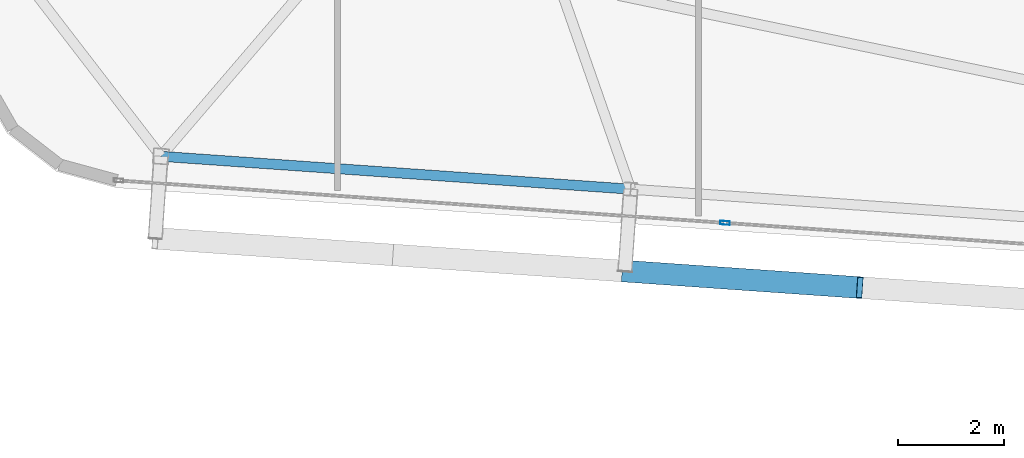
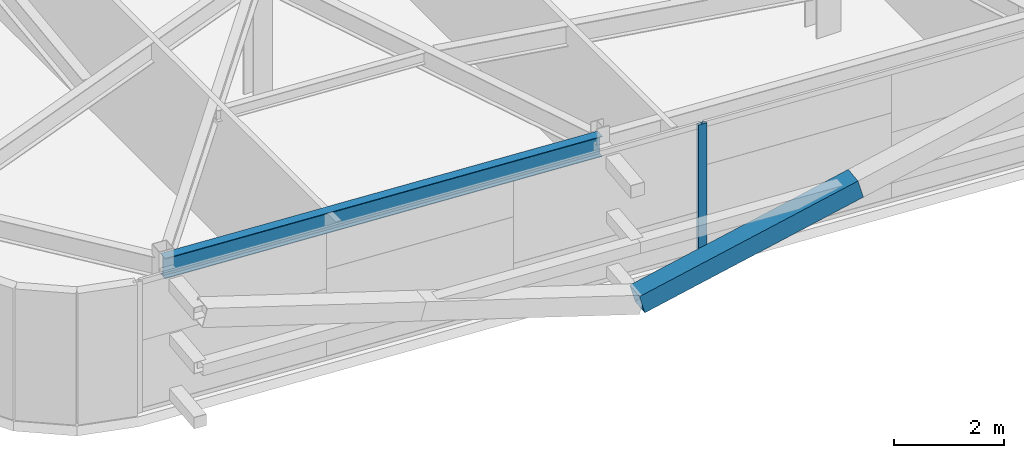
# One storey, part 7 of 39: 2 members, 1 beam, 1 element without a shape of its own.
"""IFC4 building model written with IfcOpenShell, lengths in metres."""

import ifcopenshell
import ifcopenshell.guid

model = None  # the IFC model being written
_history = None  # IfcOwnerHistory: only IFC2X3 demands one
_inside = {}  # id of a spatial element -> (the spatial element, [elements in it])
_under = {}  # id of a project, library or spatial element -> (it, [spatial elements below it])
_declared = {}  # id of a project -> (the project, [libraries it declares])
_typed = {}  # id of a type object -> (the type object, [elements of that type])
_made_of = {}  # id of a material, layer set ... -> (it, [elements and type objects made of it])


def new_model(schema):
    """Start an empty IFC model of exactly this schema.

    Asked for "IFC4X3", IfcOpenShell would pick the latest addendum, in which some entities
    have other attributes; the version numbers below select the first issue.
    IFC2X3 requires an IfcOwnerHistory on every rooted entity: one is made here for all.
    """
    global model, _history
    if schema == "IFC4X3":
        model = ifcopenshell.file(schema_version=(4, 3, 0, 0))
    else:
        model = ifcopenshell.file(schema=schema)
    _inside.clear()
    _under.clear()
    _declared.clear()
    _typed.clear()
    _made_of.clear()
    _history = None
    if model.schema == "IFC2X3":
        org = make("IfcOrganization", Name="unknown")
        user = make(
            "IfcPersonAndOrganization",
            ThePerson=make("IfcPerson", FamilyName="unknown"),
            TheOrganization=org,
        )
        app = make(
            "IfcApplication",
            ApplicationDeveloper=org,
            Version="unknown",
            ApplicationFullName="unknown",
            ApplicationIdentifier="unknown",
        )
        _history = make(
            "IfcOwnerHistory",
            OwningUser=user,
            OwningApplication=app,
            ChangeAction="ADDED",
            CreationDate=0,
        )
    return model


def make(cls, **values):
    """One entity of the class cls with the attributes given. An attribute that is None is left unset."""
    return model.create_entity(
        cls, **{name: value for name, value in values.items() if value is not None}
    )


def rooted(cls, **values):
    """An entity with a GlobalId (a new one), such as an element, a storey or a relation."""
    return make(cls, GlobalId=ifcopenshell.guid.new(), OwnerHistory=_history, **values)


def si_unit(unit_type, name, prefix=None):
    """IfcSIUnit, for example si_unit("LENGTHUNIT", "METRE", prefix="MILLI")."""
    return make("IfcSIUnit", UnitType=unit_type, Prefix=prefix, Name=name)


def assignment(units):
    """IfcUnitAssignment: the units of a project."""
    return None if units is None else make("IfcUnitAssignment", Units=units)


def point(xyz):
    """IfcCartesianPoint."""
    return None if xyz is None else make("IfcCartesianPoint", Coordinates=xyz)


def direction(xyz):
    """IfcDirection."""
    return None if xyz is None else make("IfcDirection", DirectionRatios=xyz)


def frame(location, z_axis=None, x_axis=None):
    """IfcAxis2Placement3D, a coordinate frame: its origin and axes. An axis left out is left unset."""
    return make(
        "IfcAxis2Placement3D",
        Location=point(location),
        Axis=direction(z_axis),
        RefDirection=direction(x_axis),
    )


def frame_2d(location, x_axis=None):
    """IfcAxis2Placement2D, a coordinate frame in the plane: its origin and x axis."""
    return make(
        "IfcAxis2Placement2D", Location=point(location), RefDirection=direction(x_axis)
    )


def origin():
    """The frame at (0, 0, 0) with its axes left unset."""
    return frame((0.0, 0.0, 0.0))


def origin_2d():
    """The frame at (0, 0) in the plane with its x axis left unset."""
    return frame_2d((0.0, 0.0))


def place(relative_to, where):
    """IfcLocalPlacement: puts the frame where relative to a parent placement (None: the world)."""
    return make(
        "IfcLocalPlacement", PlacementRelTo=relative_to, RelativePlacement=where
    )


def context(
    kind, dimensions, precision=None, world=None, true_north=None, identifier=None
):
    """IfcGeometricRepresentationContext, for example the 3D "Model" context."""
    return make(
        "IfcGeometricRepresentationContext",
        ContextIdentifier=identifier,
        ContextType=kind,
        CoordinateSpaceDimension=dimensions,
        Precision=precision,
        WorldCoordinateSystem=world,
        TrueNorth=true_north,
    )


def subcontext(parent, identifier, kind, view, scale=None):
    """IfcGeometricRepresentationSubContext, for example "Body" below "Model"."""
    return make(
        "IfcGeometricRepresentationSubContext",
        ContextIdentifier=identifier,
        ContextType=kind,
        ParentContext=parent,
        TargetScale=scale,
        TargetView=view,
    )


def project(units=None, contexts=None):
    """IfcProject with its units and contexts."""
    return rooted(
        "IfcProject",
        Name="project",
        RepresentationContexts=contexts,
        UnitsInContext=assignment(units),
    )


def spatial(cls, under=None, at=None, **own):
    """A site, building, storey or space (cls), placed at a placement, below another one or the project."""
    s = rooted(cls, ObjectPlacement=at, **own)
    if under is not None:
        _under.setdefault(under.id(), (under, []))[1].append(s)
    return s


def profile(cls, at=None, kind="AREA", **sizes):
    """A parametric profile (cls). Its sizes go by their IFC names, for example OverallWidth=200.0."""
    return make(cls, ProfileType=kind, Position=at, **sizes)


def hollow_rectangle(**sizes):
    """IfcRectangleHollowProfileDef."""
    return profile("IfcRectangleHollowProfileDef", **sizes)


def i_section(**sizes):
    """IfcIShapeProfileDef."""
    return profile("IfcIShapeProfileDef", **sizes)


def extrude(swept, where, along, depth):
    """IfcExtrudedAreaSolid: the profile swept, set in the frame where, extruded along a direction by depth."""
    return make(
        "IfcExtrudedAreaSolid",
        SweptArea=swept,
        Position=where,
        ExtrudedDirection=direction(along),
        Depth=depth,
    )


def shape(context_of_items, identifier, shape_type, items):
    """IfcShapeRepresentation: the items that make up one representation, for example the "Body"."""
    return make(
        "IfcShapeRepresentation",
        ContextOfItems=context_of_items,
        RepresentationIdentifier=identifier,
        RepresentationType=shape_type,
        Items=items,
    )


def source(mapping_origin, context_of_items, identifier, shape_type, items):
    """IfcRepresentationMap: a shape defined once, which mapped items show again and again."""
    return make(
        "IfcRepresentationMap",
        MappingOrigin=mapping_origin,
        MappedRepresentation=shape(context_of_items, identifier, shape_type, items),
    )


def transform(
    local_origin,
    x_axis=None,
    y_axis=None,
    z_axis=None,
    scale=None,
    scale2=None,
    scale3=None,
    uniform=True,
):
    """IfcCartesianTransformationOperator3D, or its non-uniform kind. x_axis, y_axis, z_axis: its Axis1, 2, 3."""
    if uniform:
        return make(
            "IfcCartesianTransformationOperator3D",
            Axis1=direction(x_axis),
            Axis2=direction(y_axis),
            LocalOrigin=point(local_origin),
            Scale=scale,
            Axis3=direction(z_axis),
        )
    return make(
        "IfcCartesianTransformationOperator3DnonUniform",
        Axis1=direction(x_axis),
        Axis2=direction(y_axis),
        LocalOrigin=point(local_origin),
        Scale=scale,
        Axis3=direction(z_axis),
        Scale2=scale2,
        Scale3=scale3,
    )


def mapped(mapping_source, mapping_target):
    """IfcMappedItem: shows the shape of a source again, moved by a transform."""
    return make(
        "IfcMappedItem", MappingSource=mapping_source, MappingTarget=mapping_target
    )


def material(Name=None, Category=None):
    """IfcMaterial."""
    return make("IfcMaterial", Name=Name, Category=Category)


def layer(
    of_material, thickness, ventilated=None, Name=None, Category=None, Priority=None
):
    """IfcMaterialLayer: one layer of a wall or slab, of a material (None: an air gap)."""
    return make(
        "IfcMaterialLayer",
        Material=of_material,
        LayerThickness=thickness,
        IsVentilated=ventilated,
        Name=Name,
        Category=Category,
        Priority=Priority,
    )


def layer_set(layers, Name=None):
    """IfcMaterialLayerSet."""
    return make("IfcMaterialLayerSet", MaterialLayers=layers, LayerSetName=Name)


def material_profile(
    of_material, cross_section, Name=None, Category=None, Priority=None
):
    """IfcMaterialProfile: a cross section and its material."""
    return make(
        "IfcMaterialProfile",
        Name=Name,
        Material=of_material,
        Profile=cross_section,
        Priority=Priority,
        Category=Category,
    )


def profile_set(profiles, Name=None, composite=None):
    """IfcMaterialProfileSet."""
    return make(
        "IfcMaterialProfileSet",
        Name=Name,
        MaterialProfiles=profiles,
        CompositeProfile=composite,
    )


def made_of(thing, what):
    """Note that an element or type object is made of a material, layer set ...; save() writes the relation."""
    if what is not None:
        _made_of.setdefault(what.id(), (what, []))[1].append(thing)
    return thing


def type_object(cls, material=None, **own):
    """A type object (cls), such as IfcWallType, which elements share."""
    return made_of(rooted(cls, **own), material)


def element(
    cls,
    number,
    at=None,
    inside=None,
    cuts=None,
    type_object=None,
    material=None,
    context=None,
    identifier="Body",
    shape_type=None,
    held_by="IfcProductDefinitionShape",
    body=None,
    shapes=None,
    **own,
):
    """One element of the class cls, such as IfcWall. Its Tag is "e" and its number.

    at: its placement. inside: the storey or other place that contains it. cuts: it is an
    opening in that element (IfcRelVoidsElement). A single representation is given by context,
    identifier, shape_type and body (its items); several are given by shapes. held_by: the class
    of the entity that holds the representations. save() writes the other relations.
    """
    e = rooted(cls, Tag="e%d" % number, ObjectPlacement=at, **own)
    if body is not None:
        shapes = [shape(context, identifier, shape_type, body)]
    if shapes is not None:
        e.Representation = make(held_by, Representations=shapes)
    if inside is not None:
        _inside.setdefault(inside.id(), (inside, []))[1].append(e)
    if cuts is not None:
        rooted(
            "IfcRelVoidsElement", RelatingBuildingElement=cuts, RelatedOpeningElement=e
        )
    if type_object is not None:
        _typed.setdefault(type_object.id(), (type_object, []))[1].append(e)
    return made_of(e, material)


def aggregate(whole, parts):
    """IfcRelAggregates: a whole, such as a stair, and the parts it consists of."""
    return rooted("IfcRelAggregates", RelatingObject=whole, RelatedObjects=parts)


def save(model, path):
    """Write the relations noted so far, then the file.

    IfcRelAggregates (storeys below a building ...), IfcRelContainedInSpatialStructure (elements
    in a storey), IfcRelDefinesByType, IfcRelAssociatesMaterial and IfcRelDeclares: one each for
    every whole, place, type object, material and project.
    """
    for whole, parts in _under.values():
        aggregate(whole, parts)
    for where, things in _inside.values():
        rooted(
            "IfcRelContainedInSpatialStructure",
            RelatedElements=things,
            RelatingStructure=where,
        )
    for kind, things in _typed.values():
        rooted("IfcRelDefinesByType", RelatedObjects=things, RelatingType=kind)
    for what, things in _made_of.values():
        rooted("IfcRelAssociatesMaterial", RelatedObjects=things, RelatingMaterial=what)
    for by, libraries in _declared.values():
        rooted("IfcRelDeclares", RelatingContext=by, RelatedDefinitions=libraries)
    model.write(path)


model = new_model("IFC4")

# Units and contexts
model_context = context("Model", 3, precision=1e-05, world=origin(), true_north=direction((0.0, 1.0)))
body_context = subcontext(model_context, "Body", "Model", "MODEL_VIEW")
ifc_project = project(units=[si_unit("LENGTHUNIT", "METRE"), si_unit("AREAUNIT", "SQUARE_METRE"), si_unit("VOLUMEUNIT", "CUBIC_METRE"), si_unit("PLANEANGLEUNIT", "RADIAN"), si_unit("MASSUNIT", "GRAM", prefix="KILO")], contexts=[model_context])

# Site, building, storey
site_placement = place(None, origin())
site = spatial("IfcSite", under=ifc_project, at=site_placement, CompositionType="ELEMENT")
building_placement = place(site_placement, origin())
building = spatial("IfcBuilding", under=site, at=building_placement, Name="Taldren Reach Tower", CompositionType="ELEMENT")
storey_placement = place(building_placement, frame((0.0, 0.0, 136.14990234375)))
storey = spatial("IfcBuildingStorey", under=building, at=storey_placement, Name="L41", CompositionType="ELEMENT", Elevation=136.14990234375)

# Beam
ifc_material_1 = material(Name="Steel Gr 350 (350PLUS)", Category="steel")
ifc_material_profile_1 = material_profile(ifc_material_1, i_section(OverallWidth=0.18994140625, OverallDepth=0.4541015625, WebThickness=0.008544921875, FlangeThickness=0.0126953125, at=origin_2d()), Name="460UB67.1")
ifc_profile_set_1 = profile_set([ifc_material_profile_1], Name="Steel Gr 350 (350PLUS)")
beam_type = type_object("IfcBeamType", Name="SP-UB460B", PredefinedType="SPANDREL", material=ifc_profile_set_1)
shared_shape_1 = source(origin(), body_context, "Body", "SweptSolid", [
    extrude(i_section(OverallWidth=0.18994140625, OverallDepth=0.4541015625, WebThickness=0.008544921875, FlangeThickness=0.0126953125, at=origin_2d()), origin(), (0.0, 0.0, 1.0), 8.880126953125),
])
beam_placement = place(storey_placement, frame((11.863525390625, 5.33837890625, 2.703125), z_axis=(0.997564479639, -0.069750333063, 0.0), x_axis=(0.069750333063, 0.997564479639, 0.0)))
element("IfcBeam", 1, at=beam_placement, inside=storey, type_object=beam_type, Name="Perimeter spandrel B3 S1-S2 L41", PredefinedType="SPANDREL", context=body_context, shape_type="MappedRepresentation", body=[
    mapped(shared_shape_1, transform((0.0, 0.0, 0.0), scale=1.0)),
])

# Member
ifc_material_2 = material(Name="Steel Gr 450 (C450L0)", Category="steel")
ifc_material_profile_2 = material_profile(ifc_material_2, hollow_rectangle(XDim=0.409912109375, YDim=0.409912109375, WallThickness=0.01611328125, at=origin_2d()), Name="410x410x16.0SHS")
ifc_profile_set_2 = profile_set([ifc_material_profile_2], Name="Steel Gr 450 (C450L0)")
member_type_1 = type_object("IfcMemberType", Name="MB-EXO406", PredefinedType="BRACE", material=ifc_profile_set_2)
shared_shape_2 = source(origin(), body_context, "Body", "SweptSolid", [
    extrude(hollow_rectangle(XDim=0.409912109375, YDim=0.409912109375, WallThickness=0.01611328125, at=origin_2d()), origin(), (0.0, 0.0, 1.0), 4.603271484375),
])
member_1_placement = place(storey_placement, frame((20.61376953125, 3.1728515625, 0.22021484375), z_axis=(0.962195820062, -0.067303852699, 0.263911718699), x_axis=(0.06977769246, 0.997562566276, 0.0)))
element("IfcMember", 2, at=member_1_placement, inside=storey, type_object=member_type_1, Name="Exoskeleton Diagrid Brace B3-S2 L41", PredefinedType="BRACE", context=body_context, shape_type="MappedRepresentation", body=[
    mapped(shared_shape_2, transform((0.0, 0.0, 0.0), scale=1.0)),
])

# Curtain wall, member
ifc_material_3 = material(Name="Aluminium and Low-E Glass Unitised System", Category="aluminium")
ifc_layer = layer(ifc_material_3, 0.159912109375)
ifc_layer_set = layer_set([ifc_layer], Name="Aluminium and Low-E Glass Unitised System")
curtain_wall_type = type_object("IfcCurtainWallType", Name="CW-SYS-4", PredefinedType="NOTDEFINED", material=ifc_layer_set)
curtain_wall_placement = place(storey_placement, origin())
curtain_wall = element("IfcCurtainWall", 3, at=curtain_wall_placement, inside=storey, type_object=curtain_wall_type, Name="Unitised curtain wall CW-L41-S", PredefinedType="NOTDEFINED")
ifc_material_4 = material(Name="Anodised Aluminium 6063-T6", Category="aluminium")
ifc_material_profile_3 = material_profile(ifc_material_4, hollow_rectangle(XDim=0.070068359375, YDim=0.179931640625, WallThickness=0.00390625, at=origin_2d()), Name="ALU-180x70x4RHS")
ifc_profile_set_3 = profile_set([ifc_material_profile_3], Name="Anodised Aluminium 6063-T6")
member_type_2 = type_object("IfcMemberType", Name="CW-MUL-180", PredefinedType="MULLION", material=ifc_profile_set_3)
shared_shape_3 = source(origin(), body_context, "Body", "SweptSolid", [
    extrude(hollow_rectangle(XDim=0.070068359375, YDim=0.179931640625, WallThickness=0.00390625, at=origin_2d()), origin(), (0.0, 0.0, 1.0), 2.93017578125),
])
member_2_placement = place(storey_placement, frame((22.501953125, 4.083251953125, 0.0), z_axis=(0.0, 0.0, 1.0), x_axis=(0.06975651593, 0.99756404731, 0.0)))
member_2 = element("IfcMember", 4, at=member_2_placement, type_object=member_type_2, Name="CW-4 mullion 2", PredefinedType="MULLION", context=body_context, shape_type="MappedRepresentation", body=[
    mapped(shared_shape_3, transform((0.0, 0.0, 0.0), scale=1.0)),
])
aggregate(curtain_wall, [member_2])

save(model, "model.ifc")
